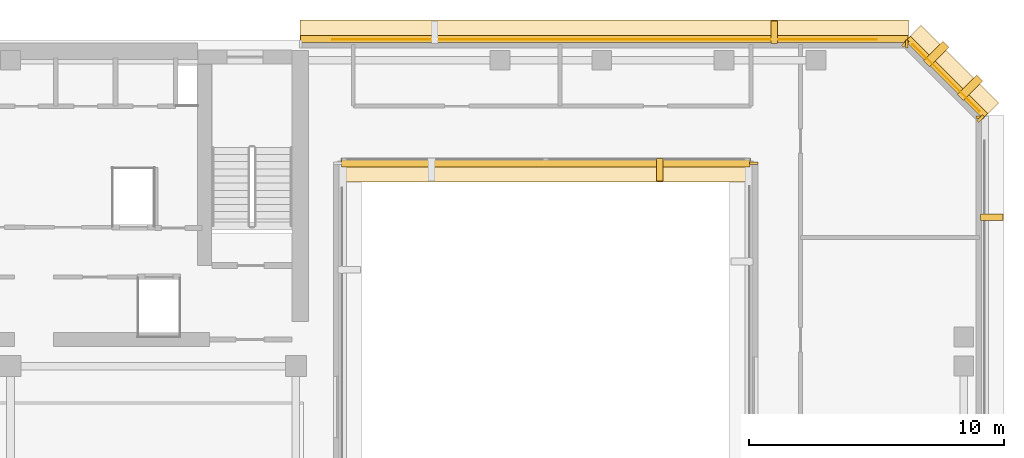
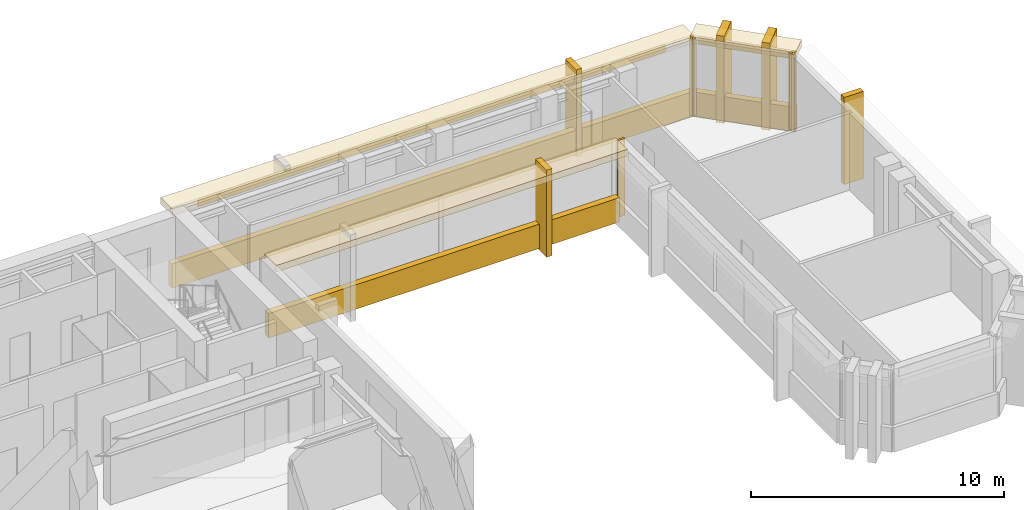
# One storey, part 11 of 11: 18 coverings.
"""IFC4 building model written with IfcOpenShell, lengths in metres."""

from ifc_helpers import new_model, si_unit, direction, frame, origin, origin_2d, place, context, subcontext, project, spatial, rectangle, extrude, material, layer, layer_set, type_object, element, save


model = new_model("IFC4")

# Units and contexts
model_context = context("Model", 3, precision=1e-05, world=origin(), true_north=direction((0.0, 1.0)))
body_context = subcontext(model_context, "Body", "Model", "MODEL_VIEW")
ifc_project = project(units=[si_unit("LENGTHUNIT", "METRE"), si_unit("AREAUNIT", "SQUARE_METRE"), si_unit("VOLUMEUNIT", "CUBIC_METRE"), si_unit("PLANEANGLEUNIT", "RADIAN"), si_unit("MASSUNIT", "GRAM", prefix="KILO")], contexts=[model_context])

# Site, building, storey
site_placement = place(None, origin())
site = spatial("IfcSite", under=ifc_project, at=site_placement, CompositionType="ELEMENT")
building_placement = place(site_placement, origin())
building = spatial("IfcBuilding", under=site, at=building_placement, Name="Kefirva Bronze Tower", CompositionType="ELEMENT")
storey_placement = place(building_placement, frame((0.0, 0.0, 219.780029296875)))
storey = spatial("IfcBuildingStorey", under=building, at=storey_placement, Name="L53", CompositionType="ELEMENT", Elevation=219.780029296875)

# Coverings
ifc_material = material(Name="Bronze anodised aluminium", Category="aluminium")
ifc_layer_1 = layer(ifc_material, 0.02001953125, Name="Bronze anodised aluminium")
ifc_layer_set_1 = layer_set([ifc_layer_1], Name="Bronze anodised aluminium")
covering_type_1 = type_object("IfcCoveringType", Name="Anodised Bronze Spandrel Cladding 20mm", PredefinedType="CLADDING", material=ifc_layer_set_1)
covering_1_placement = place(storey_placement, frame((33.0, 41.159912109375, -0.16015625), z_axis=(0.0, 0.0, 1.0), x_axis=(1.0, 0.0, 0.0)))
element("IfcCovering", 1, at=covering_1_placement, inside=storey, type_object=covering_type_1, Name="L53 Streamline Horizontal Spandrel Band 6", PredefinedType="CLADDING", context=body_context, shape_type="SweptSolid", body=[
    extrude(rectangle(XDim=16.0400390625, YDim=0.280029296875, at=origin_2d()), origin(), (0.0, 0.0, 1.0), 1.179931640625),
])
for number, where, z_axis, x_axis, name in (
    (2, (41.159912109375, 41.1650390625, 0.0), (0.0, 0.0, 1.0), (0.0, -1.0, 0.0), "L53 Facade Joint Closure Panel 5S"),
    (3, (50.0400390625, 42.965087890625, 0.0), (0.0, 0.0, 1.0), (0.0, 1.0, 0.0), "L53 Facade Joint Closure Panel 9E"),
):
    element("IfcCovering", number, at=place(storey_placement, frame(where, z_axis=z_axis, x_axis=x_axis)), inside=storey, type_object=covering_type_1, Name=name, PredefinedType="CLADDING", context=body_context, shape_type="SweptSolid", body=[
        extrude(rectangle(XDim=0.10009765625, YDim=0.320068359375, at=origin_2d()), origin(), (0.0, 0.0, 1.0), 3.7099609375),
    ])
covering_2_placement = place(storey_placement, frame((48.70703125, 44.507080078125, 3.2900390625), z_axis=(0.0, 0.0, 1.0), x_axis=(-0.707106781187, 0.707106781187, 0.0)))
element("IfcCovering", 4, at=covering_2_placement, inside=storey, type_object=covering_type_1, Name="L53 Bronze Spandrel Cladding 10", PredefinedType="CLADDING", context=body_context, shape_type="SweptSolid", body=[
    extrude(rectangle(XDim=3.719482421875, YDim=0.02001953125, at=origin_2d()), origin(), (0.0, 0.0, 1.0), 0.39990234375),
])
for number, where, z_axis, x_axis, name in (
    (5, (50.06201171875, 42.91162109375, 0.0), (0.0, 0.0, 1.0), (-0.707106781187, 0.707106781187, 0.0), "L53 Facade Joint Closure Panel 10S"),
    (6, (47.11181640625, 45.862060546875, 0.0), (0.0, 0.0, 1.0), (-0.707106781187, 0.707106781187, 0.0), "L53 Facade Joint Closure Panel 10E"),
):
    element("IfcCovering", number, at=place(storey_placement, frame(where, z_axis=z_axis, x_axis=x_axis)), inside=storey, type_object=covering_type_1, Name=name, PredefinedType="CLADDING", context=body_context, shape_type="SweptSolid", body=[
        extrude(rectangle(XDim=0.10009765625, YDim=0.320068359375, at=origin_2d()), origin(), (0.0, 0.0, 1.0), 3.7099609375),
    ])
covering_3_placement = place(storey_placement, frame((48.728271484375, 44.5283203125, -0.16015625), z_axis=(0.0, 0.0, 1.0), x_axis=(-0.707106781187, 0.707106781187, 0.0)))
element("IfcCovering", 7, at=covering_3_placement, inside=storey, type_object=covering_type_1, Name="L53 Streamline Horizontal Spandrel Band 12", PredefinedType="CLADDING", context=body_context, shape_type="SweptSolid", body=[
    extrude(rectangle(XDim=4.28271484375, YDim=0.280029296875, at=origin_2d()), origin(), (0.0, 0.0, 1.0), 1.179931640625),
])
covering_4_placement = place(storey_placement, frame((35.302490234375, 46.010009765625, 3.2900390625), z_axis=(0.0, 0.0, 1.0), x_axis=(-1.0, 0.0, 0.0)))
element("IfcCovering", 8, at=covering_4_placement, inside=storey, type_object=covering_type_1, Name="L53 Bronze Spandrel Cladding 11", PredefinedType="CLADDING", context=body_context, shape_type="SweptSolid", body=[
    extrude(rectangle(XDim=21.365966796875, YDim=0.02001953125, at=origin_2d()), origin(), (0.0, 0.0, 1.0), 0.39990234375),
])
covering_5_placement = place(storey_placement, frame((47.1650390625, 45.840087890625, 0.0), z_axis=(0.0, 0.0, 1.0), x_axis=(-1.0, 0.0, 0.0)))
element("IfcCovering", 9, at=covering_5_placement, inside=storey, type_object=covering_type_1, Name="L53 Facade Joint Closure Panel 11S", PredefinedType="CLADDING", context=body_context, shape_type="SweptSolid", body=[
    extrude(rectangle(XDim=0.10009765625, YDim=0.320068359375, at=origin_2d()), origin(), (0.0, 0.0, 1.0), 3.7099609375),
])
covering_6_placement = place(storey_placement, frame((35.302490234375, 46.0400390625, -0.16015625), z_axis=(0.0, 0.0, 1.0), x_axis=(-1.0, 0.0, 0.0)))
element("IfcCovering", 10, at=covering_6_placement, inside=storey, type_object=covering_type_1, Name="L53 Streamline Horizontal Spandrel Band 13", PredefinedType="CLADDING", context=body_context, shape_type="SweptSolid", body=[
    extrude(rectangle(XDim=23.8349609375, YDim=0.280029296875, at=origin_2d()), origin(), (0.0, 0.0, 1.0), 1.179931640625),
])
ifc_layer_2 = layer(ifc_material, 0.179931640625, Name="Bronze anodised aluminium")
ifc_layer_set_2 = layer_set([ifc_layer_2], Name="Bronze anodised aluminium")
covering_type_2 = type_object("IfcCoveringType", Name="Streamline Bronze Sunshade Eyebrow Cladding 180mm", PredefinedType="CLADDING", material=ifc_layer_set_2)
covering_7_placement = place(storey_placement, frame((33.0, 40.889892578125, 3.39013671875), z_axis=(0.0, 0.0, 1.0), x_axis=(1.0, 0.0, 0.0)))
element("IfcCovering", 11, at=covering_7_placement, inside=storey, type_object=covering_type_2, Name="L53 Streamline Bronze Sunshade Eyebrow 6", PredefinedType="CLADDING", context=body_context, shape_type="SweptSolid", body=[
    extrude(rectangle(XDim=16.080078125, YDim=0.93994140625, at=origin_2d()), origin(), (0.0, 0.0, 1.0), 0.320068359375),
])
covering_8_placement = place(storey_placement, frame((48.919189453125, 44.71923828125, 3.39013671875), z_axis=(0.0, 0.0, 1.0), x_axis=(-0.707106781187, 0.707106781187, 0.0)))
element("IfcCovering", 12, at=covering_8_placement, inside=storey, type_object=covering_type_2, Name="L53 Streamline Bronze Sunshade Eyebrow 12", PredefinedType="CLADDING", context=body_context, shape_type="SweptSolid", body=[
    extrude(rectangle(XDim=4.322509765625, YDim=0.93994140625, at=origin_2d()), origin(), (0.0, 0.0, 1.0), 0.320068359375),
])
covering_9_placement = place(storey_placement, frame((35.302490234375, 46.31005859375, 3.39013671875), z_axis=(0.0, 0.0, 1.0), x_axis=(-1.0, 0.0, 0.0)))
element("IfcCovering", 13, at=covering_9_placement, inside=storey, type_object=covering_type_2, Name="L53 Streamline Bronze Sunshade Eyebrow 13", PredefinedType="CLADDING", context=body_context, shape_type="SweptSolid", body=[
    extrude(rectangle(XDim=23.875, YDim=0.93994140625, at=origin_2d()), origin(), (0.0, 0.0, 1.0), 0.320068359375),
])
ifc_layer_3 = layer(ifc_material, 0.260009765625, Name="Bronze anodised aluminium")
ifc_layer_set_3 = layer_set([ifc_layer_3], Name="Bronze anodised aluminium")
covering_type_3 = type_object("IfcCoveringType", Name="Unbroken Bronze Buttress Fin Cladding 260mm", PredefinedType="CLADDING", material=ifc_layer_set_3)
for number, where, z_axis, x_axis, name in (
    (14, (37.47998046875, 40.89990234375, -0.25), (0.0, 0.0, 1.0), (1.0, 0.0, 0.0), "L53 Unbroken Vertical Bronze Rib Fin 12"),
    (15, (50.5, 39.0400390625, -0.25), (0.0, 0.0, 1.0), (0.0, 1.0, 0.0), "L53 Unbroken Vertical Bronze Rib Fin 20"),
):
    element("IfcCovering", number, at=place(storey_placement, frame(where, z_axis=z_axis, x_axis=x_axis)), inside=storey, type_object=covering_type_3, Name=name, PredefinedType="CLADDING", context=body_context, shape_type="SweptSolid", body=[
        extrude(rectangle(XDim=0.260009765625, YDim=0.8798828125, at=origin_2d()), origin(), (0.0, 0.0, 1.0), 4.2099609375),
    ])
for number, where, z_axis, x_axis, name in (
    (16, (49.642822265625, 44.122802734375, -0.25), (0.0, 0.0, 1.0), (-0.707106781187, 0.707106781187, 0.0), "L53 Chamfered Corner Buttress Fin Cladding 21"),
    (17, (48.32275390625, 45.44287109375, -0.25), (0.0, 0.0, 1.0), (-0.707106781187, 0.707106781187, 0.0), "L53 Chamfered Corner Buttress Fin Cladding 22"),
):
    element("IfcCovering", number, at=place(storey_placement, frame(where, z_axis=z_axis, x_axis=x_axis)), inside=storey, type_object=covering_type_3, Name=name, PredefinedType="CLADDING", context=body_context, shape_type="SweptSolid", body=[
        extrude(rectangle(XDim=0.340087890625, YDim=1.080078125, at=origin_2d()), origin(), (0.0, 0.0, 1.0), 4.2099609375),
    ])
covering_10_placement = place(storey_placement, frame((41.965087890625, 46.300048828125, -0.25), z_axis=(0.0, 0.0, 1.0), x_axis=(-1.0, 0.0, 0.0)))
element("IfcCovering", 18, at=covering_10_placement, inside=storey, type_object=covering_type_3, Name="L53 Unbroken Vertical Bronze Rib Fin 23", PredefinedType="CLADDING", context=body_context, shape_type="SweptSolid", body=[
    extrude(rectangle(XDim=0.260009765625, YDim=0.8798828125, at=origin_2d()), origin(), (0.0, 0.0, 1.0), 4.2099609375),
])

save(model, "model.ifc")
